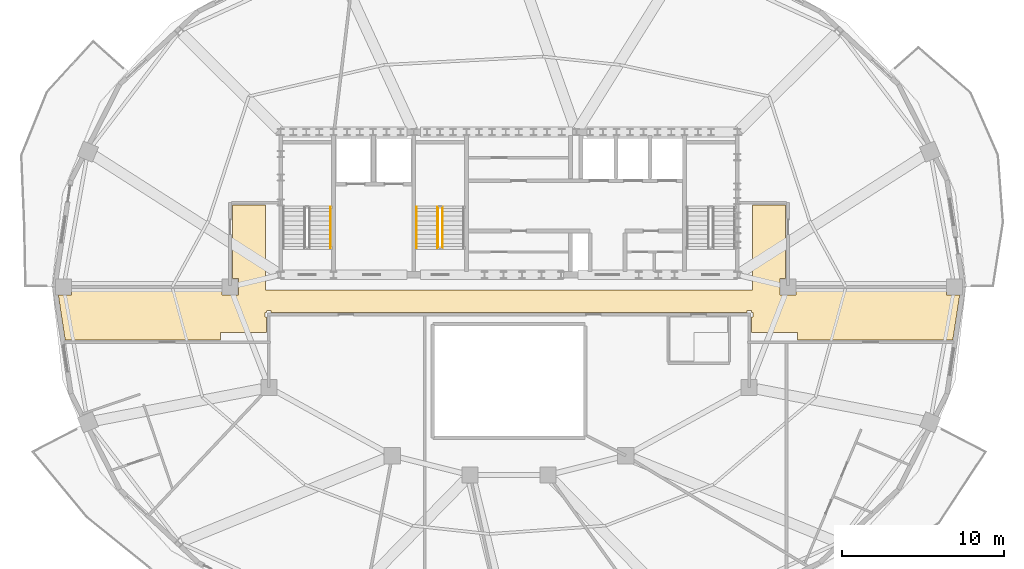
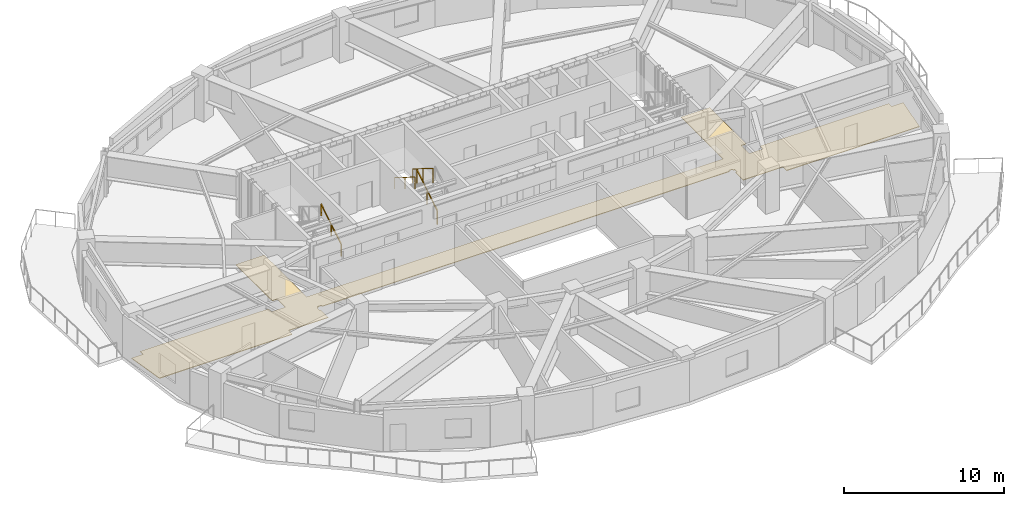
# One storey, part 10 of 12: 4 railings, 1 covering.
"""IFC4 building model written with IfcOpenShell, lengths in metres."""

from ifc_helpers import new_model, si_unit, direction, frame, origin, origin_2d, place, context, subcontext, project, spatial, polyline, rectangle, outline, extrude, material, layer, layer_set, type_object, element, save


model = new_model("IFC4")

# Units and contexts
model_context = context("Model", 3, precision=1e-05, world=origin(), true_north=direction((0.0, 1.0)))
body_context = subcontext(model_context, "Body", "Model", "MODEL_VIEW")
ifc_project = project(units=[si_unit("LENGTHUNIT", "METRE"), si_unit("AREAUNIT", "SQUARE_METRE"), si_unit("VOLUMEUNIT", "CUBIC_METRE"), si_unit("PLANEANGLEUNIT", "RADIAN"), si_unit("MASSUNIT", "GRAM", prefix="KILO")], contexts=[model_context])

# Site, building, storey
site_placement = place(None, origin())
site = spatial("IfcSite", under=ifc_project, at=site_placement, CompositionType="ELEMENT")
building_placement = place(site_placement, origin())
building = spatial("IfcBuilding", under=site, at=building_placement, Name="Haldorwick Loom Tower", CompositionType="ELEMENT")
storey_placement = place(building_placement, frame((0.0, 0.0, 237.449951171875)))
storey = spatial("IfcBuildingStorey", under=building, at=storey_placement, Name="L64", CompositionType="ELEMENT", Elevation=237.449951171875)

# Covering
ifc_material_1 = material(Name="Polished Aggregate Terrazzo Finish")
ifc_layer = layer(ifc_material_1, 0.044921875, Name="Polished Aggregate Terrazzo Finish")
ifc_layer_set = layer_set([ifc_layer], Name="Polished Aggregate Terrazzo Finish")
covering_type = type_object("IfcCoveringType", Name="ARC-COV-FLOOR2", PredefinedType="FLOORING", material=ifc_layer_set)
covering_placement = place(storey_placement, origin())
element("IfcCovering", 1, at=covering_placement, inside=storey, type_object=covering_type, Name="L64 Floor Finish 1", PredefinedType="FLOORING", context=body_context, shape_type="SweptSolid", body=[
    extrude(outline(polyline([(8.636474609375, 22.739990234375), (18.199951171875, 22.739990234375), (18.199951171875, 23.199951171875), (21.06005859375, 23.199951171875), (21.06005859375, 24.159912109375), (20.97998046875, 24.159912109375), (20.97802734375, 24.16015625), (20.97607421875, 24.160400390625), (20.97412109375, 24.160888671875), (20.972412109375, 24.16162109375), (20.970703125, 24.162353515625), (20.968994140625, 24.163330078125), (20.96728515625, 24.16455078125), (20.9658203125, 24.166015625), (20.964599609375, 24.167236328125), (20.96337890625, 24.1689453125), (20.96240234375, 24.170654296875), (20.96142578125, 24.17236328125), (20.9609375, 24.17431640625), (20.96044921875, 24.176025390625), (20.960205078125, 24.177978515625), (20.9599609375, 24.179931640625), (20.9599609375, 24.419921875), (20.960205078125, 24.422119140625), (20.96044921875, 24.423828125), (20.9609375, 24.42578125), (20.96142578125, 24.427734375), (20.96240234375, 24.429443359375), (20.96337890625, 24.43115234375), (20.964599609375, 24.4326171875), (20.9658203125, 24.43408203125), (20.96728515625, 24.435546875), (20.968994140625, 24.4365234375), (20.970703125, 24.4375), (20.972412109375, 24.4384765625), (20.97412109375, 24.439208984375), (20.97607421875, 24.439697265625), (20.97802734375, 24.43994140625), (20.97998046875, 24.43994140625), (21.06005859375, 24.43994140625), (21.06005859375, 24.52001953125), (21.06005859375, 24.52197265625), (21.060302734375, 24.52392578125), (21.060791015625, 24.52587890625), (21.0615234375, 24.527587890625), (21.0625, 24.529296875), (21.0634765625, 24.531005859375), (21.064453125, 24.53271484375), (21.06591796875, 24.5341796875), (21.0673828125, 24.535400390625), (21.06884765625, 24.53662109375), (21.070556640625, 24.53759765625), (21.072265625, 24.53857421875), (21.07421875, 24.5390625), (21.076171875, 24.53955078125), (21.077880859375, 24.539794921875), (21.080078125, 24.5400390625), (21.320068359375, 24.5400390625), (21.322021484375, 24.539794921875), (21.323974609375, 24.53955078125), (21.32568359375, 24.5390625), (21.32763671875, 24.53857421875), (21.329345703125, 24.53759765625), (21.3310546875, 24.53662109375), (21.332763671875, 24.535400390625), (21.333984375, 24.5341796875), (21.33544921875, 24.53271484375), (21.336669921875, 24.531005859375), (21.337646484375, 24.529296875), (21.33837890625, 24.527587890625), (21.339111328125, 24.52587890625), (21.339599609375, 24.52392578125), (21.33984375, 24.52197265625), (21.340087890625, 24.52001953125), (21.340087890625, 24.43994140625), (50.659912109375, 24.43994140625), (50.659912109375, 24.52001953125), (50.66015625, 24.52197265625), (50.660400390625, 24.52392578125), (50.660888671875, 24.52587890625), (50.66162109375, 24.527587890625), (50.662353515625, 24.529296875), (50.663330078125, 24.531005859375), (50.66455078125, 24.53271484375), (50.666015625, 24.5341796875), (50.667236328125, 24.535400390625), (50.6689453125, 24.53662109375), (50.670654296875, 24.53759765625), (50.67236328125, 24.53857421875), (50.67431640625, 24.5390625), (50.676025390625, 24.53955078125), (50.677978515625, 24.539794921875), (50.679931640625, 24.5400390625), (50.919921875, 24.5400390625), (50.922119140625, 24.539794921875), (50.923828125, 24.53955078125), (50.92578125, 24.5390625), (50.927734375, 24.53857421875), (50.929443359375, 24.53759765625), (50.93115234375, 24.53662109375), (50.9326171875, 24.535400390625), (50.93408203125, 24.5341796875), (50.935546875, 24.53271484375), (50.9365234375, 24.531005859375), (50.9375, 24.529296875), (50.9384765625, 24.527587890625), (50.939208984375, 24.52587890625), (50.939697265625, 24.52392578125), (50.93994140625, 24.52197265625), (50.93994140625, 24.52001953125), (50.93994140625, 24.43994140625), (51.02001953125, 24.43994140625), (51.02197265625, 24.43994140625), (51.02392578125, 24.439697265625), (51.02587890625, 24.439208984375), (51.027587890625, 24.4384765625), (51.029296875, 24.4375), (51.031005859375, 24.4365234375), (51.03271484375, 24.435546875), (51.0341796875, 24.43408203125), (51.035400390625, 24.4326171875), (51.03662109375, 24.43115234375), (51.03759765625, 24.429443359375), (51.03857421875, 24.427734375), (51.0390625, 24.42578125), (51.03955078125, 24.423828125), (51.039794921875, 24.422119140625), (51.0400390625, 24.419921875), (51.0400390625, 24.179931640625), (51.039794921875, 24.177978515625), (51.03955078125, 24.176025390625), (51.0390625, 24.17431640625), (51.03857421875, 24.17236328125), (51.03759765625, 24.170654296875), (51.03662109375, 24.1689453125), (51.035400390625, 24.167236328125), (51.0341796875, 24.166015625), (51.03271484375, 24.16455078125), (51.031005859375, 24.163330078125), (51.029296875, 24.162353515625), (51.027587890625, 24.16162109375), (51.02587890625, 24.160888671875), (51.02392578125, 24.160400390625), (51.02197265625, 24.16015625), (51.02001953125, 24.159912109375), (50.93994140625, 24.159912109375), (50.93994140625, 23.199951171875), (53.800048828125, 23.199951171875), (53.800048828125, 22.739990234375), (63.363525390625, 22.739990234375), (63.782470703125, 25.491943359375), (62.95849609375, 25.491943359375), (62.95849609375, 25.860107421875), (53.7080078125, 25.860107421875), (53.7080078125, 25.491943359375), (52.69189453125, 25.491943359375), (52.69189453125, 26.508056640625), (53.06005859375, 26.508056640625), (53.06005859375, 31.06005859375), (51.0, 31.06005859375), (51.0, 25.800048828125), (21.0, 25.800048828125), (21.0, 31.06005859375), (18.93994140625, 31.06005859375), (18.93994140625, 26.508056640625), (19.30810546875, 26.508056640625), (19.30810546875, 25.491943359375), (18.2919921875, 25.491943359375), (18.2919921875, 25.860107421875), (9.04150390625, 25.860107421875), (9.04150390625, 25.491943359375), (8.217529296875, 25.491943359375), (8.636474609375, 22.739990234375)])), origin(), (0.0, 0.0, 1.0), 0.045166015625),
])

# Railings
ifc_material_2 = material(Name="Steel CSA G40.21 350W", Category="steel")
railing_type_1 = type_object("IfcRailingType", Name="ARC-RLG-GUARD112", PredefinedType="GUARDRAIL", material=ifc_material_2)
railing_1_placement = place(storey_placement, frame((31.89990234375, 28.39990234375, 0.172607421875)))
element("IfcRailing", 2, at=railing_1_placement, inside=storey, type_object=railing_type_1, Name="L64 ST-03 stair guard 1", PredefinedType="GUARDRAIL", context=body_context, shape_type="SweptSolid", body=[
    extrude(rectangle(XDim=0.048095703125, YDim=0.048095703125, at=origin_2d()), frame((0.0, 0.0, 1.076171875), z_axis=(0.0, 0.851400495292, 0.524516154772), x_axis=(-1.0, 0.0, 0.0)), (0.0, 0.0, 1.0), 2.9599609375),
    extrude(rectangle(XDim=0.0419921875, YDim=0.0419921875, at=origin_2d()), origin(), (0.0, 0.0, 1.0), 1.052001953125),
    extrude(rectangle(XDim=0.0419921875, YDim=0.0419921875, at=origin_2d()), frame((0.0, 1.260009765625, 0.7763671875)), (0.0, 0.0, 1.0), 1.052001953125),
    extrude(rectangle(XDim=0.0419921875, YDim=0.0419921875, at=origin_2d()), frame((0.0, 2.52001953125, 1.552490234375)), (0.0, 0.0, 1.0), 1.052001953125),
])
railing_2_placement = place(storey_placement, frame((31.60009765625, 30.919921875, 1.8974609375)))
element("IfcRailing", 3, at=railing_2_placement, inside=storey, type_object=railing_type_1, Name="L64 ST-03 stair guard 3", PredefinedType="GUARDRAIL", context=body_context, shape_type="SweptSolid", body=[
    extrude(rectangle(XDim=0.048095703125, YDim=0.048095703125, at=origin_2d()), frame((0.0, 0.0, 1.076171875), z_axis=(0.0, -0.851400495292, 0.524516154772), x_axis=(1.0, 0.0, 0.0)), (0.0, 0.0, 1.0), 2.9599609375),
    extrude(rectangle(XDim=0.0419921875, YDim=0.0419921875, at=origin_2d()), origin(), (0.0, 0.0, 1.0), 1.052001953125),
    extrude(rectangle(XDim=0.0419921875, YDim=0.0419921875, at=origin_2d()), frame((0.0, -1.260009765625, 0.7763671875)), (0.0, 0.0, 1.0), 1.052001953125),
    extrude(rectangle(XDim=0.0419921875, YDim=0.0419921875, at=origin_2d()), frame((0.0, -2.52001953125, 1.552490234375)), (0.0, 0.0, 1.0), 1.052001953125),
])
railing_type_2 = type_object("IfcRailingType", Name="ARC-RLG-HAND092", PredefinedType="HANDRAIL", material=ifc_material_2)
railing_3_placement = place(storey_placement, frame((25.0, 28.39990234375, 0.172607421875)))
element("IfcRailing", 4, at=railing_3_placement, inside=storey, type_object=railing_type_2, Name="L64 ST-01 stair handrail 1", PredefinedType="HANDRAIL", context=body_context, shape_type="SweptSolid", body=[
    extrude(rectangle(XDim=0.048095703125, YDim=0.048095703125, at=origin_2d()), frame((0.0, 0.0, 0.8759765625), z_axis=(0.0, 0.851400495292, 0.524516154772), x_axis=(-1.0, 0.0, 0.0)), (0.0, 0.0, 1.0), 2.9599609375),
    extrude(rectangle(XDim=0.0419921875, YDim=0.0419921875, at=origin_2d()), origin(), (0.0, 0.0, 1.0), 0.851806640625),
    extrude(rectangle(XDim=0.0419921875, YDim=0.0419921875, at=origin_2d()), frame((0.0, 1.260009765625, 0.7763671875)), (0.0, 0.0, 1.0), 0.851806640625),
    extrude(rectangle(XDim=0.0419921875, YDim=0.0419921875, at=origin_2d()), frame((0.0, 2.52001953125, 1.552490234375)), (0.0, 0.0, 1.0), 0.851806640625),
])
railing_4_placement = place(storey_placement, frame((30.300048828125, 30.919921875, 1.8974609375)))
element("IfcRailing", 5, at=railing_4_placement, inside=storey, type_object=railing_type_2, Name="L64 ST-03 stair handrail 2", PredefinedType="HANDRAIL", context=body_context, shape_type="SweptSolid", body=[
    extrude(rectangle(XDim=0.048095703125, YDim=0.048095703125, at=origin_2d()), frame((0.0, 0.0, 0.8759765625), z_axis=(0.0, -0.851400495292, 0.524516154772), x_axis=(1.0, 0.0, 0.0)), (0.0, 0.0, 1.0), 2.9599609375),
    extrude(rectangle(XDim=0.0419921875, YDim=0.0419921875, at=origin_2d()), origin(), (0.0, 0.0, 1.0), 0.851806640625),
    extrude(rectangle(XDim=0.0419921875, YDim=0.0419921875, at=origin_2d()), frame((0.0, -1.260009765625, 0.7763671875)), (0.0, 0.0, 1.0), 0.851806640625),
    extrude(rectangle(XDim=0.0419921875, YDim=0.0419921875, at=origin_2d()), frame((0.0, -2.52001953125, 1.552490234375)), (0.0, 0.0, 1.0), 0.851806640625),
])

save(model, "model.ifc")
